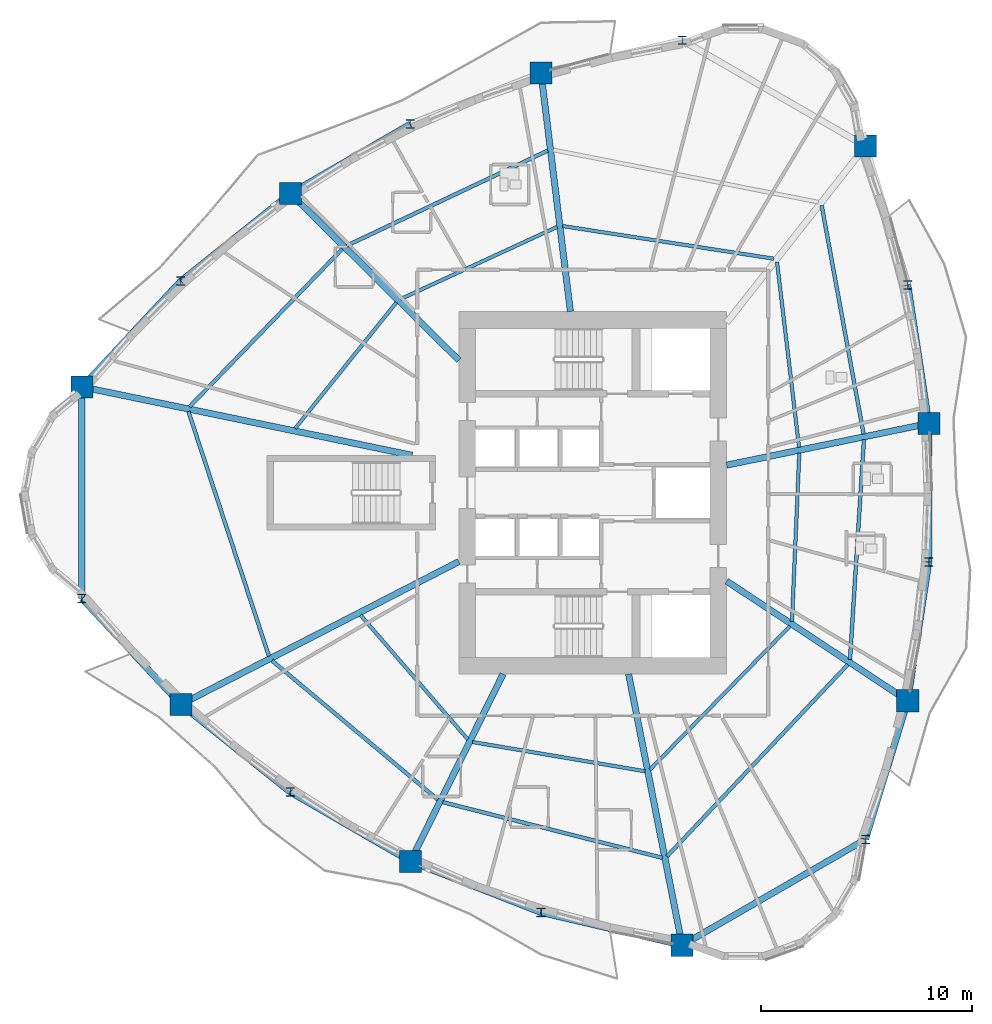
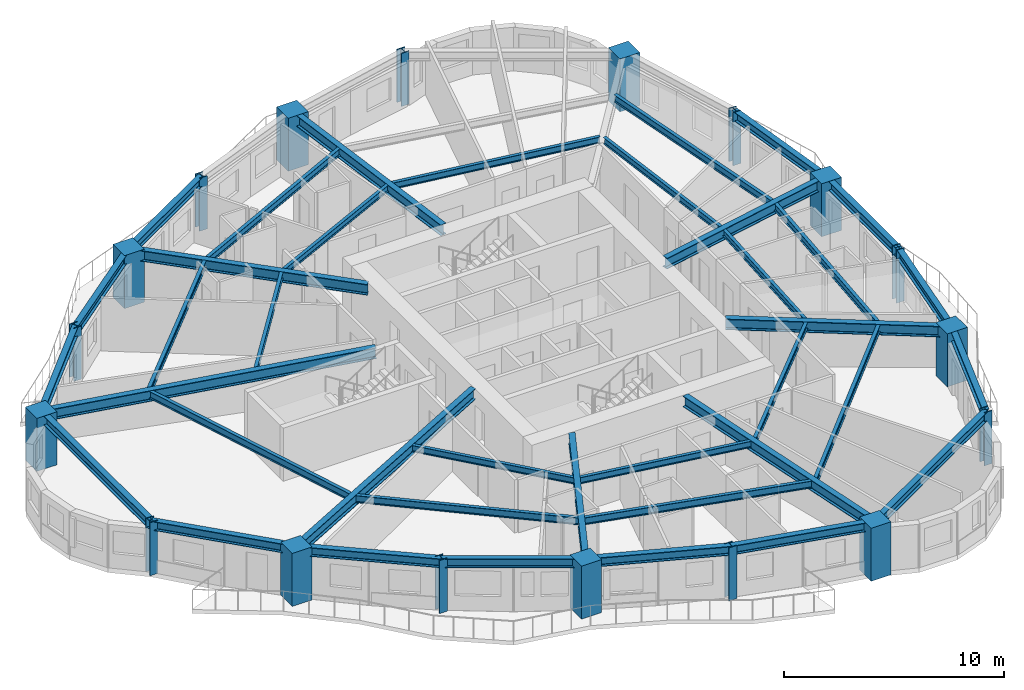
# One storey, part 1 of 13: 38 beams, 18 columns.
"""IFC4 building model written with IfcOpenShell, lengths in metres."""

from ifc_helpers import new_model, si_unit, direction, frame, origin, origin_2d, place, context, subcontext, project, spatial, rectangle, i_section, extrude, source, transform, mapped, material, material_profile, profile_set, type_object, element, save


model = new_model("IFC4")

# Units and contexts
model_context = context("Model", 3, precision=1e-05, world=origin(), true_north=direction((0.0, 1.0)))
body_context = subcontext(model_context, "Body", "Model", "MODEL_VIEW")
ifc_project = project(units=[si_unit("LENGTHUNIT", "METRE"), si_unit("AREAUNIT", "SQUARE_METRE"), si_unit("VOLUMEUNIT", "CUBIC_METRE"), si_unit("PLANEANGLEUNIT", "RADIAN"), si_unit("MASSUNIT", "GRAM", prefix="KILO")], contexts=[model_context])

# Site, building, storey
site_placement = place(None, origin())
site = spatial("IfcSite", under=ifc_project, at=site_placement, CompositionType="ELEMENT")
building_placement = place(site_placement, origin())
building = spatial("IfcBuilding", under=site, at=building_placement, Name="Qafzar Sky-Pleat Residences", CompositionType="ELEMENT")
storey_placement = place(building_placement, frame((0.0, 0.0, 52.60009765625)))
storey = spatial("IfcBuildingStorey", under=building, at=storey_placement, Name="L15", CompositionType="ELEMENT", Elevation=52.60009765625)

# Columns
ifc_material_1 = material(Name="Concrete C60/75", Category="concrete")
ifc_material_profile_1 = material_profile(ifc_material_1, rectangle(XDim=1.050048828125, YDim=1.050048828125, at=origin_2d()), Name="RC 1050x1050")
ifc_profile_set_1 = profile_set([ifc_material_profile_1], Name="Concrete C60/75")
column_type_1 = type_object("IfcColumnType", Name="COL-RC-1050", PredefinedType="COLUMN", material=ifc_profile_set_1)
shared_shape_1 = source(origin(), body_context, "Body", "SweptSolid", [
    extrude(rectangle(XDim=1.050048828125, YDim=1.050048828125, at=origin_2d()), origin(), (0.0, 0.0, 1.0), 2.93994140625),
])
for number, where, z_axis, x_axis, name in (
    (1, (6.1201171875, 31.02294921875, 0.0), (0.0, 0.0, 1.0), (1.0, 0.0, 0.0), "L15 Perimeter Mega Column 1"),
    (2, (10.814697265625, 15.95849609375, 0.0), (0.0, 0.0, 1.0), (1.0, 0.0, 0.0), "L15 Perimeter Mega Column 3"),
    (3, (21.702880859375, 8.518310546875, 0.0), (0.0, 0.0, 1.0), (1.0, 0.0, 0.0), "L15 Perimeter Mega Column 5"),
    (4, (34.590087890625, 4.539794921875, 0.0), (0.0, 0.0, 1.0), (1.0, 0.0, 0.0), "L15 Perimeter Mega Column 7"),
    (5, (45.288818359375, 16.1376953125, 0.0), (0.0, 0.0, 1.0), (1.0, 0.0, 0.0), "L15 Perimeter Mega Column 9"),
    (6, (46.2880859375, 29.287353515625, 0.0), (0.0, 0.0, 1.0), (1.0, 0.0, 0.0), "L15 Perimeter Mega Column 11"),
    (7, (43.2900390625, 42.437255859375, 0.0), (0.0, 0.0, 1.0), (1.0, 0.0, 0.0), "L15 Perimeter Mega Column 13"),
    (8, (27.896484375, 45.90380859375, 0.0), (0.0, 0.0, 1.0), (1.0, 0.0, 0.0), "L15 Perimeter Mega Column 15"),
    (9, (16.0087890625, 40.1943359375, 0.0), (0.0, 0.0, 1.0), (1.0, 0.0, 0.0), "L15 Perimeter Mega Column 17"),
):
    element("IfcColumn", number, at=place(storey_placement, frame(where, z_axis=z_axis, x_axis=x_axis)), inside=storey, type_object=column_type_1, Name=name, PredefinedType="COLUMN", context=body_context, shape_type="MappedRepresentation", body=[
        mapped(shared_shape_1, transform((0.0, 0.0, 0.0), x_axis=(1.0, 0.0, 0.0), y_axis=(0.0, 1.0, 0.0), z_axis=(0.0, 0.0, 1.0), scale=1.0)),
    ])
ifc_material_2 = material(Name="Steel S460", Category="steel")
ifc_material_profile_2 = material_profile(ifc_material_2, i_section(OverallWidth=0.408935546875, OverallDepth=0.425048828125, WebThickness=0.030029296875, FlangeThickness=0.048095703125, FilletRadius=0.014892578125, at=origin_2d()), Name="HD 400x421")
ifc_profile_set_2 = profile_set([ifc_material_profile_2], Name="Steel S460")
column_type_2 = type_object("IfcColumnType", Name="COL-STL-HD421", PredefinedType="PILASTER", material=ifc_profile_set_2)
shared_shape_2 = source(origin(), body_context, "Body", "SweptSolid", [
    extrude(i_section(OverallWidth=0.408935546875, OverallDepth=0.425048828125, WebThickness=0.030029296875, FlangeThickness=0.048095703125, FilletRadius=0.014892578125, at=origin_2d()), origin(), (0.0, 0.0, 1.0), 2.93994140625),
])
for number, where, z_axis, x_axis, name in (
    (10, (6.1201171875, 20.97705078125, 0.0), (0.0, 0.0, 1.0), (1.0, 0.0, 0.0), "L15 Perimeter Mega Column 2"),
    (11, (16.0087890625, 11.8056640625, 0.0), (0.0, 0.0, 1.0), (1.0, 0.0, 0.0), "L15 Perimeter Mega Column 4"),
    (12, (27.896484375, 6.09619140625, 0.0), (0.0, 0.0, 1.0), (1.0, 0.0, 0.0), "L15 Perimeter Mega Column 6"),
    (13, (43.2900390625, 9.562744140625, 0.0), (0.0, 0.0, 1.0), (1.0, 0.0, 0.0), "L15 Perimeter Mega Column 8"),
    (14, (46.2880859375, 22.712646484375, 0.0), (0.0, 0.0, 1.0), (1.0, 0.0, 0.0), "L15 Perimeter Mega Column 10"),
    (15, (45.288818359375, 35.8623046875, 0.0), (0.0, 0.0, 1.0), (1.0, 0.0, 0.0), "L15 Perimeter Mega Column 12"),
    (16, (34.590087890625, 47.460205078125, 0.0), (0.0, 0.0, 1.0), (1.0, 0.0, 0.0), "L15 Perimeter Mega Column 14"),
    (17, (21.702880859375, 43.481689453125, 0.0), (0.0, 0.0, 1.0), (1.0, 0.0, 0.0), "L15 Perimeter Mega Column 16"),
    (18, (10.814697265625, 36.04150390625, 0.0), (0.0, 0.0, 1.0), (1.0, 0.0, 0.0), "L15 Perimeter Mega Column 18"),
):
    element("IfcColumn", number, at=place(storey_placement, frame(where, z_axis=z_axis, x_axis=x_axis)), inside=storey, type_object=column_type_2, Name=name, PredefinedType="PILASTER", context=body_context, shape_type="MappedRepresentation", body=[
        mapped(shared_shape_2, transform((0.0, 0.0, 0.0), x_axis=(1.0, 0.0, 0.0), y_axis=(0.0, 1.0, 0.0), z_axis=(0.0, 0.0, 1.0), scale=1.0)),
    ])

# Beams
ifc_material_3 = material(Name="Steel S355", Category="steel")
ifc_material_profile_3 = material_profile(ifc_material_3, i_section(OverallWidth=0.300048828125, OverallDepth=0.5, WebThickness=0.014404296875, FlangeThickness=0.028076171875, FilletRadius=0.027099609375, at=origin_2d()), Name="HEB 500")
ifc_profile_set_3 = profile_set([ifc_material_profile_3], Name="Steel S355")
beam_type_1 = type_object("IfcBeamType", Name="BM-SPAN-HEB500", PredefinedType="SPANDREL", material=ifc_profile_set_3)
shared_shape_3 = source(origin(), body_context, "Body", "SweptSolid", [
    extrude(i_section(OverallWidth=0.300048828125, OverallDepth=0.5, WebThickness=0.014404296875, FlangeThickness=0.028076171875, FilletRadius=0.027099609375, at=origin_2d()), origin(), (0.0, 0.0, 1.0), 10.0458984375),
])
for number, where, z_axis, x_axis, name in (
    (19, (6.1201171875, 31.02294921875, 2.68798828125), (0.0, -1.0, 0.0), (1.0, 0.0, 0.0), "L15 Perimeter Spandrel Beam 1"),
    (20, (34.590087890625, 4.539794921875, 2.68798828125), (0.866024107753, 0.500002244785, 0.0), (-0.500002244785, 0.866024107753, 0.0), "L15 Perimeter Spandrel Beam 7"),
):
    element("IfcBeam", number, at=place(storey_placement, frame(where, z_axis=z_axis, x_axis=x_axis)), inside=storey, type_object=beam_type_1, Name=name, PredefinedType="SPANDREL", context=body_context, shape_type="MappedRepresentation", body=[
        mapped(shared_shape_3, transform((0.0, 0.0, 0.0), x_axis=(1.0, 0.0, 0.0), y_axis=(0.0, 1.0, 0.0), z_axis=(0.0, 0.0, 1.0), scale=1.0)),
    ])
shared_shape_4 = source(origin(), body_context, "Body", "SweptSolid", [
    extrude(i_section(OverallWidth=0.300048828125, OverallDepth=0.5, WebThickness=0.014404296875, FlangeThickness=0.028076171875, FilletRadius=0.027099609375, at=origin_2d()), origin(), (0.0, 0.0, 1.0), 6.8720703125),
])
for number, where, z_axis, x_axis, name in (
    (21, (6.1201171875, 20.97705078125, 2.68798828125), (0.683141849409, -0.73028570682, 0.0), (0.73028570682, 0.683141849409, 0.0), "L15 Perimeter Spandrel Beam 2"),
    (22, (27.896484375, 6.09619140625, 2.68798828125), (0.974016228914, -0.226478223705, 0.0), (0.226478223705, 0.974016228914, 0.0), "L15 Perimeter Spandrel Beam 6"),
    (23, (43.2900390625, 9.562744140625, 2.68798828125), (0.290856244324, 0.956766766322, 0.0), (-0.956766766322, 0.290856244324, 0.0), "L15 Perimeter Spandrel Beam 8"),
    (24, (10.814697265625, 36.04150390625, 2.68798828125), (-0.683141849409, -0.73028570682, 0.0), (0.73028570682, -0.683141849409, 0.0), "L15 Perimeter Spandrel Beam 18"),
):
    element("IfcBeam", number, at=place(storey_placement, frame(where, z_axis=z_axis, x_axis=x_axis)), inside=storey, type_object=beam_type_1, Name=name, PredefinedType="SPANDREL", context=body_context, shape_type="MappedRepresentation", body=[
        mapped(shared_shape_4, transform((0.0, 0.0, 0.0), x_axis=(1.0, 0.0, 0.0), y_axis=(0.0, 1.0, 0.0), z_axis=(0.0, 0.0, 1.0), scale=1.0)),
    ])
shared_shape_5 = source(origin(), body_context, "Body", "SweptSolid", [
    extrude(i_section(OverallWidth=0.300048828125, OverallDepth=0.5, WebThickness=0.014404296875, FlangeThickness=0.028076171875, FilletRadius=0.027099609375, at=origin_2d()), origin(), (0.0, 0.0, 1.0), 6.650146484375),
])
for number, where, z_axis, x_axis, name in (
    (25, (10.814697265625, 15.95849609375, 2.68798828125), (0.781047860297, -0.62447116821, 0.0), (0.62447116821, 0.781047860297, 0.0), "L15 Perimeter Spandrel Beam 3"),
    (26, (16.0087890625, 40.1943359375, 2.68798828125), (-0.781047860297, -0.62447116821, 0.0), (0.62447116821, -0.781047860297, 0.0), "L15 Perimeter Spandrel Beam 17"),
):
    element("IfcBeam", number, at=place(storey_placement, frame(where, z_axis=z_axis, x_axis=x_axis)), inside=storey, type_object=beam_type_1, Name=name, PredefinedType="SPANDREL", context=body_context, shape_type="MappedRepresentation", body=[
        mapped(shared_shape_5, transform((0.0, 0.0, 0.0), x_axis=(1.0, 0.0, 0.0), y_axis=(0.0, 1.0, 0.0), z_axis=(0.0, 0.0, 1.0), scale=1.0)),
    ])
shared_shape_6 = source(origin(), body_context, "Body", "SweptSolid", [
    extrude(i_section(OverallWidth=0.300048828125, OverallDepth=0.5, WebThickness=0.014404296875, FlangeThickness=0.028076171875, FilletRadius=0.027099609375, at=origin_2d()), origin(), (0.0, 0.0, 1.0), 6.574951171875),
])
for number, where, z_axis, x_axis, name in (
    (27, (16.0087890625, 11.8056640625, 2.68798828125), (0.866034091436, -0.499984952244, 0.0), (0.499984952244, 0.866034091436, 0.0), "L15 Perimeter Spandrel Beam 4"),
    (28, (21.702880859375, 43.481689453125, 2.68798828125), (-0.866034091436, -0.499984952244, 0.0), (0.499984952244, -0.866034091436, 0.0), "L15 Perimeter Spandrel Beam 16"),
):
    element("IfcBeam", number, at=place(storey_placement, frame(where, z_axis=z_axis, x_axis=x_axis)), inside=storey, type_object=beam_type_1, Name=name, PredefinedType="SPANDREL", context=body_context, shape_type="MappedRepresentation", body=[
        mapped(shared_shape_6, transform((0.0, 0.0, 0.0), x_axis=(1.0, 0.0, 0.0), y_axis=(0.0, 1.0, 0.0), z_axis=(0.0, 0.0, 1.0), scale=1.0)),
    ])
shared_shape_7 = source(origin(), body_context, "Body", "SweptSolid", [
    extrude(i_section(OverallWidth=0.300048828125, OverallDepth=0.5, WebThickness=0.014404296875, FlangeThickness=0.028076171875, FilletRadius=0.027099609375, at=origin_2d()), origin(), (0.0, 0.0, 1.0), 6.650390625),
])
for number, where, z_axis, x_axis, name in (
    (29, (21.702880859375, 8.518310546875, 2.68798828125), (0.931317505809, -0.364208324141, 0.0), (0.364208324141, 0.931317505809, 0.0), "L15 Perimeter Spandrel Beam 5"),
    (30, (45.288818359375, 16.1376953125, 2.68798828125), (0.150255576809, 0.988647187645, 0.0), (-0.988647187645, 0.150255576809, 0.0), "L15 Perimeter Spandrel Beam 9"),
    (31, (46.2880859375, 29.287353515625, 2.68798828125), (-0.150255576809, 0.988647187645, 0.0), (-0.988647187645, -0.150255576809, 0.0), "L15 Perimeter Spandrel Beam 11"),
):
    element("IfcBeam", number, at=place(storey_placement, frame(where, z_axis=z_axis, x_axis=x_axis)), inside=storey, type_object=beam_type_1, Name=name, PredefinedType="SPANDREL", context=body_context, shape_type="MappedRepresentation", body=[
        mapped(shared_shape_7, transform((0.0, 0.0, 0.0), x_axis=(1.0, 0.0, 0.0), y_axis=(0.0, 1.0, 0.0), z_axis=(0.0, 0.0, 1.0), scale=1.0)),
    ])
shared_shape_8 = source(origin(), body_context, "Body", "SweptSolid", [
    extrude(i_section(OverallWidth=0.300048828125, OverallDepth=0.5, WebThickness=0.014404296875, FlangeThickness=0.028076171875, FilletRadius=0.027099609375, at=origin_2d()), origin(), (0.0, 0.0, 1.0), 6.57470703125),
])
beam_1_placement = place(storey_placement, frame((46.2880859375, 22.712646484375, 2.68798828125), z_axis=(0.0, 1.0, 0.0), x_axis=(-1.0, 0.0, 0.0)))
element("IfcBeam", 32, at=beam_1_placement, inside=storey, type_object=beam_type_1, Name="L15 Perimeter Spandrel Beam 10", PredefinedType="SPANDREL", context=body_context, shape_type="MappedRepresentation", body=[
    mapped(shared_shape_8, transform((0.0, 0.0, 0.0), x_axis=(1.0, 0.0, 0.0), y_axis=(0.0, 1.0, 0.0), z_axis=(0.0, 0.0, 1.0), scale=1.0)),
])
ifc_material_profile_4 = material_profile(ifc_material_3, i_section(OverallWidth=0.300048828125, OverallDepth=0.60009765625, WebThickness=0.015380859375, FlangeThickness=0.030029296875, FilletRadius=0.027099609375, at=origin_2d()), Name="HEB 600")
ifc_profile_set_4 = profile_set([ifc_material_profile_4], Name="Steel S355")
beam_type_2 = type_object("IfcBeamType", Name="BM-GIRD-HEB600", PredefinedType="BEAM", material=ifc_profile_set_4)
shared_shape_9 = source(origin(), body_context, "Body", "SweptSolid", [
    extrude(i_section(OverallWidth=0.300048828125, OverallDepth=0.60009765625, WebThickness=0.015380859375, FlangeThickness=0.030029296875, FilletRadius=0.027099609375, at=origin_2d()), origin(), (0.0, 0.0, 1.0), 16.000732421875),
])
beam_2_placement = place(storey_placement, frame((6.1201171875, 31.02294921875, 2.637939453125), z_axis=(0.97917975369, -0.202995098375, 0.0), x_axis=(0.202995098375, 0.97917975369, 0.0)))
element("IfcBeam", 33, at=beam_2_placement, inside=storey, type_object=beam_type_2, Name="L15 Radial Floor Girder 1", PredefinedType="BEAM", context=body_context, shape_type="MappedRepresentation", body=[
    mapped(shared_shape_9, transform((0.0, 0.0, 0.0), x_axis=(1.0, 0.0, 0.0), y_axis=(0.0, 1.0, 0.0), z_axis=(0.0, 0.0, 1.0), scale=1.0)),
])
shared_shape_10 = source(origin(), body_context, "Body", "SweptSolid", [
    extrude(i_section(OverallWidth=0.300048828125, OverallDepth=0.60009765625, WebThickness=0.015380859375, FlangeThickness=0.030029296875, FilletRadius=0.027099609375, at=origin_2d()), origin(), (0.0, 0.0, 1.0), 14.8251953125),
])
beam_3_placement = place(storey_placement, frame((10.814697265625, 15.95849609375, 2.637939453125), z_axis=(0.889381743059, 0.457165303925, 0.0), x_axis=(-0.457165303925, 0.889381743059, 0.0)))
element("IfcBeam", 34, at=beam_3_placement, inside=storey, type_object=beam_type_2, Name="L15 Radial Floor Girder 3", PredefinedType="BEAM", context=body_context, shape_type="MappedRepresentation", body=[
    mapped(shared_shape_10, transform((0.0, 0.0, 0.0), x_axis=(1.0, 0.0, 0.0), y_axis=(0.0, 1.0, 0.0), z_axis=(0.0, 0.0, 1.0), scale=1.0)),
])
shared_shape_11 = source(origin(), body_context, "Body", "SweptSolid", [
    extrude(i_section(OverallWidth=0.300048828125, OverallDepth=0.60009765625, WebThickness=0.015380859375, FlangeThickness=0.030029296875, FilletRadius=0.027099609375, at=origin_2d()), origin(), (0.0, 0.0, 1.0), 9.90869140625),
])
beam_4_placement = place(storey_placement, frame((21.702880859375, 8.518310546875, 2.637939453125), z_axis=(0.443375685827, 0.896335875226, 0.0), x_axis=(-0.896335875226, 0.443375685827, 0.0)))
element("IfcBeam", 35, at=beam_4_placement, inside=storey, type_object=beam_type_2, Name="L15 Radial Floor Girder 5", PredefinedType="BEAM", context=body_context, shape_type="MappedRepresentation", body=[
    mapped(shared_shape_11, transform((0.0, 0.0, 0.0), x_axis=(1.0, 0.0, 0.0), y_axis=(0.0, 1.0, 0.0), z_axis=(0.0, 0.0, 1.0), scale=1.0)),
])
shared_shape_12 = source(origin(), body_context, "Body", "SweptSolid", [
    extrude(i_section(OverallWidth=0.300048828125, OverallDepth=0.60009765625, WebThickness=0.015380859375, FlangeThickness=0.030029296875, FilletRadius=0.027099609375, at=origin_2d()), origin(), (0.0, 0.0, 1.0), 13.108642578125),
])
beam_5_placement = place(storey_placement, frame((34.590087890625, 4.539794921875, 2.637939453125), z_axis=(-0.193823374402, 0.981036441492, 0.0), x_axis=(-0.981036441492, -0.193823374402, 0.0)))
element("IfcBeam", 36, at=beam_5_placement, inside=storey, type_object=beam_type_2, Name="L15 Radial Floor Girder 7", PredefinedType="BEAM", context=body_context, shape_type="MappedRepresentation", body=[
    mapped(shared_shape_12, transform((0.0, 0.0, 0.0), x_axis=(1.0, 0.0, 0.0), y_axis=(0.0, 1.0, 0.0), z_axis=(0.0, 0.0, 1.0), scale=1.0)),
])
shared_shape_13 = source(origin(), body_context, "Body", "SweptSolid", [
    extrude(i_section(OverallWidth=0.300048828125, OverallDepth=0.60009765625, WebThickness=0.015380859375, FlangeThickness=0.030029296875, FilletRadius=0.027099609375, at=origin_2d()), origin(), (0.0, 0.0, 1.0), 10.291748046875),
])
beam_6_placement = place(storey_placement, frame((45.288818359375, 16.1376953125, 2.637939453125), z_axis=(-0.834541783503, 0.550944653833, 0.0), x_axis=(-0.550944653833, -0.834541783503, 0.0)))
element("IfcBeam", 37, at=beam_6_placement, inside=storey, type_object=beam_type_2, Name="L15 Radial Floor Girder 9", PredefinedType="BEAM", context=body_context, shape_type="MappedRepresentation", body=[
    mapped(shared_shape_13, transform((0.0, 0.0, 0.0), x_axis=(1.0, 0.0, 0.0), y_axis=(0.0, 1.0, 0.0), z_axis=(0.0, 0.0, 1.0), scale=1.0)),
])
shared_shape_14 = source(origin(), body_context, "Body", "SweptSolid", [
    extrude(i_section(OverallWidth=0.300048828125, OverallDepth=0.60009765625, WebThickness=0.015380859375, FlangeThickness=0.030029296875, FilletRadius=0.027099609375, at=origin_2d()), origin(), (0.0, 0.0, 1.0), 9.7900390625),
])
beam_7_placement = place(storey_placement, frame((46.2880859375, 29.287353515625, 2.637939453125), z_axis=(-0.979386142627, -0.20199698916, 0.0), x_axis=(0.20199698916, -0.979386142627, 0.0)))
element("IfcBeam", 38, at=beam_7_placement, inside=storey, type_object=beam_type_2, Name="L15 Radial Floor Girder 11", PredefinedType="BEAM", context=body_context, shape_type="MappedRepresentation", body=[
    mapped(shared_shape_14, transform((0.0, 0.0, 0.0), x_axis=(1.0, 0.0, 0.0), y_axis=(0.0, 1.0, 0.0), z_axis=(0.0, 0.0, 1.0), scale=1.0)),
])
shared_shape_15 = source(origin(), body_context, "Body", "SweptSolid", [
    extrude(i_section(OverallWidth=0.300048828125, OverallDepth=0.60009765625, WebThickness=0.015380859375, FlangeThickness=0.030029296875, FilletRadius=0.027099609375, at=origin_2d()), origin(), (0.0, 0.0, 1.0), 11.38916015625),
])
beam_8_placement = place(storey_placement, frame((27.896484375, 45.90380859375, 2.637939453125), z_axis=(0.122335498992, -0.992488803809, 0.0), x_axis=(0.992488803809, 0.122335498992, 0.0)))
element("IfcBeam", 39, at=beam_8_placement, inside=storey, type_object=beam_type_2, Name="L15 Radial Floor Girder 15", PredefinedType="BEAM", context=body_context, shape_type="MappedRepresentation", body=[
    mapped(shared_shape_15, transform((0.0, 0.0, 0.0), x_axis=(1.0, 0.0, 0.0), y_axis=(0.0, 1.0, 0.0), z_axis=(0.0, 0.0, 1.0), scale=1.0)),
])
shared_shape_16 = source(origin(), body_context, "Body", "SweptSolid", [
    extrude(i_section(OverallWidth=0.300048828125, OverallDepth=0.60009765625, WebThickness=0.015380859375, FlangeThickness=0.030029296875, FilletRadius=0.027099609375, at=origin_2d()), origin(), (0.0, 0.0, 1.0), 11.24365234375),
])
beam_9_placement = place(storey_placement, frame((16.0087890625, 40.1943359375, 2.637939453125), z_axis=(0.710734480611, -0.703460374201, 0.0), x_axis=(0.703460374201, 0.710734480611, 0.0)))
element("IfcBeam", 40, at=beam_9_placement, inside=storey, type_object=beam_type_2, Name="L15 Radial Floor Girder 17", PredefinedType="BEAM", context=body_context, shape_type="MappedRepresentation", body=[
    mapped(shared_shape_16, transform((0.0, 0.0, 0.0), x_axis=(1.0, 0.0, 0.0), y_axis=(0.0, 1.0, 0.0), z_axis=(0.0, 0.0, 1.0), scale=1.0)),
])
ifc_material_profile_5 = material_profile(ifc_material_3, i_section(OverallWidth=0.179931640625, OverallDepth=0.39990234375, WebThickness=0.008544921875, FlangeThickness=0.013427734375, FilletRadius=0.02099609375, at=origin_2d()), Name="IPE 400")
ifc_profile_set_5 = profile_set([ifc_material_profile_5], Name="Steel S355")
beam_type_3 = type_object("IfcBeamType", Name="BM-JST-IPE400", PredefinedType="JOIST", material=ifc_profile_set_5)
shared_shape_17 = source(origin(), body_context, "Body", "SweptSolid", [
    extrude(i_section(OverallWidth=0.179931640625, OverallDepth=0.39990234375, WebThickness=0.008544921875, FlangeThickness=0.013427734375, FilletRadius=0.02099609375, at=origin_2d()), origin(), (0.0, 0.0, 1.0), 12.211181640625),
])
beam_10_placement = place(storey_placement, frame((11.17578125, 29.855224609375, 2.73779296875), z_axis=(0.312494579361, -0.94991954284, 0.0), x_axis=(0.94991954284, 0.312494579361, 0.0)))
element("IfcBeam", 41, at=beam_10_placement, inside=storey, type_object=beam_type_3, Name="L15 Outer Secondary Floor Joist 1", PredefinedType="JOIST", context=body_context, shape_type="MappedRepresentation", body=[
    mapped(shared_shape_17, transform((0.0, 0.0, 0.0), x_axis=(1.0, 0.0, 0.0), y_axis=(0.0, 1.0, 0.0), z_axis=(0.0, 0.0, 1.0), scale=1.0)),
])
shared_shape_18 = source(origin(), body_context, "Body", "SweptSolid", [
    extrude(i_section(OverallWidth=0.179931640625, OverallDepth=0.39990234375, WebThickness=0.008544921875, FlangeThickness=0.013427734375, FilletRadius=0.02099609375, at=origin_2d()), origin(), (0.0, 0.0, 1.0), 10.265380859375),
])
beam_11_placement = place(storey_placement, frame((15.137451171875, 18.040771484375, 2.73779296875), z_axis=(0.766450230396, -0.642303701006, 0.0), x_axis=(0.642303701006, 0.766450230396, 0.0)))
element("IfcBeam", 42, at=beam_11_placement, inside=storey, type_object=beam_type_3, Name="L15 Outer Secondary Floor Joist 2", PredefinedType="JOIST", context=body_context, shape_type="MappedRepresentation", body=[
    mapped(shared_shape_18, transform((0.0, 0.0, 0.0), x_axis=(1.0, 0.0, 0.0), y_axis=(0.0, 1.0, 0.0), z_axis=(0.0, 0.0, 1.0), scale=1.0)),
])
shared_shape_19 = source(origin(), body_context, "Body", "SweptSolid", [
    extrude(i_section(OverallWidth=0.179931640625, OverallDepth=0.39990234375, WebThickness=0.008544921875, FlangeThickness=0.013427734375, FilletRadius=0.02099609375, at=origin_2d()), origin(), (0.0, 0.0, 1.0), 10.73583984375),
])
beam_12_placement = place(storey_placement, frame((23.239501953125, 11.327392578125, 2.73779296875), z_axis=(0.969314247792, -0.245824915393, 0.0), x_axis=(0.245824915393, 0.969314247792, 0.0)))
element("IfcBeam", 43, at=beam_12_placement, inside=storey, type_object=beam_type_3, Name="L15 Outer Secondary Floor Joist 3", PredefinedType="JOIST", context=body_context, shape_type="MappedRepresentation", body=[
    mapped(shared_shape_19, transform((0.0, 0.0, 0.0), x_axis=(1.0, 0.0, 0.0), y_axis=(0.0, 1.0, 0.0), z_axis=(0.0, 0.0, 1.0), scale=1.0)),
])
shared_shape_20 = source(origin(), body_context, "Body", "SweptSolid", [
    extrude(i_section(OverallWidth=0.179931640625, OverallDepth=0.39990234375, WebThickness=0.008544921875, FlangeThickness=0.013427734375, FilletRadius=0.02099609375, at=origin_2d()), origin(), (0.0, 0.0, 1.0), 12.50634765625),
])
beam_13_placement = place(storey_placement, frame((33.869384765625, 8.75341796875, 2.73779296875), z_axis=(0.685920444829, 0.727676537594, 0.0), x_axis=(-0.727676537594, 0.685920444829, 0.0)))
element("IfcBeam", 44, at=beam_13_placement, inside=storey, type_object=beam_type_3, Name="L15 Outer Secondary Floor Joist 4", PredefinedType="JOIST", context=body_context, shape_type="MappedRepresentation", body=[
    mapped(shared_shape_20, transform((0.0, 0.0, 0.0), x_axis=(1.0, 0.0, 0.0), y_axis=(0.0, 1.0, 0.0), z_axis=(0.0, 0.0, 1.0), scale=1.0)),
])
shared_shape_21 = source(origin(), body_context, "Body", "SweptSolid", [
    extrude(i_section(OverallWidth=0.179931640625, OverallDepth=0.39990234375, WebThickness=0.008544921875, FlangeThickness=0.013427734375, FilletRadius=0.02099609375, at=origin_2d()), origin(), (0.0, 0.0, 1.0), 10.453857421875),
])
beam_14_placement = place(storey_placement, frame((42.548828125, 18.0869140625, 2.73779296875), z_axis=(0.063382933726, 0.997989280359, 0.0), x_axis=(-0.997989280359, 0.063382933726, 0.0)))
element("IfcBeam", 45, at=beam_14_placement, inside=storey, type_object=beam_type_3, Name="L15 Outer Secondary Floor Joist 5", PredefinedType="JOIST", context=body_context, shape_type="MappedRepresentation", body=[
    mapped(shared_shape_21, transform((0.0, 0.0, 0.0), x_axis=(1.0, 0.0, 0.0), y_axis=(0.0, 1.0, 0.0), z_axis=(0.0, 0.0, 1.0), scale=1.0)),
])
shared_shape_22 = source(origin(), body_context, "Body", "SweptSolid", [
    extrude(i_section(OverallWidth=0.179931640625, OverallDepth=0.39990234375, WebThickness=0.008544921875, FlangeThickness=0.013427734375, FilletRadius=0.02099609375, at=origin_2d()), origin(), (0.0, 0.0, 1.0), 11.01953125),
])
beam_15_placement = place(storey_placement, frame((43.195556640625, 28.787353515625, 2.73779296875), z_axis=(-0.180587223378, 0.983558973703, 0.0), x_axis=(-0.983558973703, -0.180587223378, 0.0)))
element("IfcBeam", 46, at=beam_15_placement, inside=storey, type_object=beam_type_3, Name="L15 Outer Secondary Floor Joist 6", PredefinedType="JOIST", context=body_context, shape_type="MappedRepresentation", body=[
    mapped(shared_shape_22, transform((0.0, 0.0, 0.0), x_axis=(1.0, 0.0, 0.0), y_axis=(0.0, 1.0, 0.0), z_axis=(0.0, 0.0, 1.0), scale=1.0)),
])
shared_shape_23 = source(origin(), body_context, "Body", "SweptSolid", [
    extrude(i_section(OverallWidth=0.179931640625, OverallDepth=0.39990234375, WebThickness=0.008544921875, FlangeThickness=0.013427734375, FilletRadius=0.02099609375, at=origin_2d()), origin(), (0.0, 0.0, 1.0), 10.544677734375),
])
beam_16_placement = place(storey_placement, frame((28.220458984375, 42.228759765625, 2.73779296875), z_axis=(-0.9040153296, -0.427500039589, 0.0), x_axis=(0.427500039589, -0.9040153296, 0.0)))
element("IfcBeam", 47, at=beam_16_placement, inside=storey, type_object=beam_type_3, Name="L15 Outer Secondary Floor Joist 8", PredefinedType="JOIST", context=body_context, shape_type="MappedRepresentation", body=[
    mapped(shared_shape_23, transform((0.0, 0.0, 0.0), x_axis=(1.0, 0.0, 0.0), y_axis=(0.0, 1.0, 0.0), z_axis=(0.0, 0.0, 1.0), scale=1.0)),
])
shared_shape_24 = source(origin(), body_context, "Body", "SweptSolid", [
    extrude(i_section(OverallWidth=0.179931640625, OverallDepth=0.39990234375, WebThickness=0.008544921875, FlangeThickness=0.013427734375, FilletRadius=0.02099609375, at=origin_2d()), origin(), (0.0, 0.0, 1.0), 10.41748046875),
])
beam_17_placement = place(storey_placement, frame((18.47216796875, 37.56640625, 2.73779296875), z_axis=(-0.695434700563, -0.718589296645, 0.0), x_axis=(0.718589296645, -0.695434700563, 0.0)))
element("IfcBeam", 48, at=beam_17_placement, inside=storey, type_object=beam_type_3, Name="L15 Outer Secondary Floor Joist 9", PredefinedType="JOIST", context=body_context, shape_type="MappedRepresentation", body=[
    mapped(shared_shape_24, transform((0.0, 0.0, 0.0), x_axis=(1.0, 0.0, 0.0), y_axis=(0.0, 1.0, 0.0), z_axis=(0.0, 0.0, 1.0), scale=1.0)),
])
ifc_material_profile_6 = material_profile(ifc_material_3, i_section(OverallWidth=0.169921875, OverallDepth=0.360107421875, WebThickness=0.008056640625, FlangeThickness=0.0126953125, FilletRadius=0.01806640625, at=origin_2d()), Name="IPE 360")
ifc_profile_set_6 = profile_set([ifc_material_profile_6], Name="Steel S355")
beam_type_4 = type_object("IfcBeamType", Name="BM-JST-IPE360", PredefinedType="JOIST", material=ifc_profile_set_6)
shared_shape_25 = source(origin(), body_context, "Body", "SweptSolid", [
    extrude(i_section(OverallWidth=0.169921875, OverallDepth=0.360107421875, WebThickness=0.008056640625, FlangeThickness=0.0126953125, FilletRadius=0.01806640625, at=origin_2d()), origin(), (0.0, 0.0, 1.0), 7.78076171875),
])
beam_18_placement = place(storey_placement, frame((19.341552734375, 20.194091796875, 2.7578125), z_axis=(0.653503041025, -0.756923890078, 0.0), x_axis=(0.756923890078, 0.653503041025, 0.0)))
element("IfcBeam", 49, at=beam_18_placement, inside=storey, type_object=beam_type_4, Name="L15 Inner Secondary Floor Joist 2", PredefinedType="JOIST", context=body_context, shape_type="MappedRepresentation", body=[
    mapped(shared_shape_25, transform((0.0, 0.0, 0.0), x_axis=(1.0, 0.0, 0.0), y_axis=(0.0, 1.0, 0.0), z_axis=(0.0, 0.0, 1.0), scale=1.0)),
])
shared_shape_26 = source(origin(), body_context, "Body", "SweptSolid", [
    extrude(i_section(OverallWidth=0.169921875, OverallDepth=0.360107421875, WebThickness=0.008056640625, FlangeThickness=0.0126953125, FilletRadius=0.01806640625, at=origin_2d()), origin(), (0.0, 0.0, 1.0), 8.2998046875),
])
beam_19_placement = place(storey_placement, frame((24.647705078125, 14.179931640625, 2.7578125), z_axis=(0.985938639777, -0.167107745467, 0.0), x_axis=(0.167107745467, 0.985938639777, 0.0)))
element("IfcBeam", 50, at=beam_19_placement, inside=storey, type_object=beam_type_4, Name="L15 Inner Secondary Floor Joist 3", PredefinedType="JOIST", context=body_context, shape_type="MappedRepresentation", body=[
    mapped(shared_shape_26, transform((0.0, 0.0, 0.0), x_axis=(1.0, 0.0, 0.0), y_axis=(0.0, 1.0, 0.0), z_axis=(0.0, 0.0, 1.0), scale=1.0)),
])
shared_shape_27 = source(origin(), body_context, "Body", "SweptSolid", [
    extrude(i_section(OverallWidth=0.169921875, OverallDepth=0.360107421875, WebThickness=0.008056640625, FlangeThickness=0.0126953125, FilletRadius=0.01806640625, at=origin_2d()), origin(), (0.0, 0.0, 1.0), 9.506103515625),
])
beam_20_placement = place(storey_placement, frame((33.05810546875, 12.866943359375, 2.7578125), z_axis=(0.698463766196, 0.715645420101, 0.0), x_axis=(-0.715645420101, 0.698463766196, 0.0)))
element("IfcBeam", 51, at=beam_20_placement, inside=storey, type_object=beam_type_4, Name="L15 Inner Secondary Floor Joist 4", PredefinedType="JOIST", context=body_context, shape_type="MappedRepresentation", body=[
    mapped(shared_shape_27, transform((0.0, 0.0, 0.0), x_axis=(1.0, 0.0, 0.0), y_axis=(0.0, 1.0, 0.0), z_axis=(0.0, 0.0, 1.0), scale=1.0)),
])
shared_shape_28 = source(origin(), body_context, "Body", "SweptSolid", [
    extrude(i_section(OverallWidth=0.169921875, OverallDepth=0.360107421875, WebThickness=0.008056640625, FlangeThickness=0.0126953125, FilletRadius=0.01806640625, at=origin_2d()), origin(), (0.0, 0.0, 1.0), 7.992919921875),
])
beam_21_placement = place(storey_placement, frame((39.7978515625, 19.901611328125, 2.7578125), z_axis=(0.043526033927, 0.999052293111, 0.0), x_axis=(-0.999052293111, 0.043526033927, 0.0)))
element("IfcBeam", 52, at=beam_21_placement, inside=storey, type_object=beam_type_4, Name="L15 Inner Secondary Floor Joist 5", PredefinedType="JOIST", context=body_context, shape_type="MappedRepresentation", body=[
    mapped(shared_shape_28, transform((0.0, 0.0, 0.0), x_axis=(1.0, 0.0, 0.0), y_axis=(0.0, 1.0, 0.0), z_axis=(0.0, 0.0, 1.0), scale=1.0)),
])
shared_shape_29 = source(origin(), body_context, "Body", "SweptSolid", [
    extrude(i_section(OverallWidth=0.169921875, OverallDepth=0.360107421875, WebThickness=0.008056640625, FlangeThickness=0.0126953125, FilletRadius=0.01806640625, at=origin_2d()), origin(), (0.0, 0.0, 1.0), 8.852294921875),
])
beam_22_placement = place(storey_placement, frame((40.1357421875, 28.15576171875, 2.7578125), z_axis=(-0.118316486076, 0.992975935823, 0.0), x_axis=(-0.992975935823, -0.118316486076, 0.0)))
element("IfcBeam", 53, at=beam_22_placement, inside=storey, type_object=beam_type_4, Name="L15 Inner Secondary Floor Joist 6", PredefinedType="JOIST", context=body_context, shape_type="MappedRepresentation", body=[
    mapped(shared_shape_29, transform((0.0, 0.0, 0.0), x_axis=(1.0, 0.0, 0.0), y_axis=(0.0, 1.0, 0.0), z_axis=(0.0, 0.0, 1.0), scale=1.0)),
])
shared_shape_30 = source(origin(), body_context, "Body", "SweptSolid", [
    extrude(i_section(OverallWidth=0.169921875, OverallDepth=0.360107421875, WebThickness=0.008056640625, FlangeThickness=0.0126953125, FilletRadius=0.01806640625, at=origin_2d()), origin(), (0.0, 0.0, 1.0), 10.13623046875),
])
beam_23_placement = place(storey_placement, frame((38.93896484375, 37.100341796875, 2.7578125), z_axis=(-0.988264529039, 0.152752154302, 0.0), x_axis=(-0.152752154302, -0.988264529039, 0.0)))
element("IfcBeam", 54, at=beam_23_placement, inside=storey, type_object=beam_type_4, Name="L15 Inner Secondary Floor Joist 7", PredefinedType="JOIST", context=body_context, shape_type="MappedRepresentation", body=[
    mapped(shared_shape_30, transform((0.0, 0.0, 0.0), x_axis=(1.0, 0.0, 0.0), y_axis=(0.0, 1.0, 0.0), z_axis=(0.0, 0.0, 1.0), scale=1.0)),
])
shared_shape_31 = source(origin(), body_context, "Body", "SweptSolid", [
    extrude(i_section(OverallWidth=0.169921875, OverallDepth=0.360107421875, WebThickness=0.008056640625, FlangeThickness=0.0126953125, FilletRadius=0.01806640625, at=origin_2d()), origin(), (0.0, 0.0, 1.0), 8.171875),
])
beam_24_placement = place(storey_placement, frame((28.665771484375, 38.61279296875, 2.7578125), z_axis=(-0.907994358233, -0.41898239273, 0.0), x_axis=(0.41898239273, -0.907994358233, 0.0)))
element("IfcBeam", 55, at=beam_24_placement, inside=storey, type_object=beam_type_4, Name="L15 Inner Secondary Floor Joist 8", PredefinedType="JOIST", context=body_context, shape_type="MappedRepresentation", body=[
    mapped(shared_shape_31, transform((0.0, 0.0, 0.0), x_axis=(1.0, 0.0, 0.0), y_axis=(0.0, 1.0, 0.0), z_axis=(0.0, 0.0, 1.0), scale=1.0)),
])
shared_shape_32 = source(origin(), body_context, "Body", "SweptSolid", [
    extrude(i_section(OverallWidth=0.169921875, OverallDepth=0.360107421875, WebThickness=0.008056640625, FlangeThickness=0.0126953125, FilletRadius=0.01806640625, at=origin_2d()), origin(), (0.0, 0.0, 1.0), 7.670654296875),
])
beam_25_placement = place(storey_placement, frame((21.03857421875, 35.027099609375, 2.7578125), z_axis=(-0.626633862879, -0.77931380194, 0.0), x_axis=(0.77931380194, -0.626633862879, 0.0)))
element("IfcBeam", 56, at=beam_25_placement, inside=storey, type_object=beam_type_4, Name="L15 Inner Secondary Floor Joist 9", PredefinedType="JOIST", context=body_context, shape_type="MappedRepresentation", body=[
    mapped(shared_shape_32, transform((0.0, 0.0, 0.0), x_axis=(1.0, 0.0, 0.0), y_axis=(0.0, 1.0, 0.0), z_axis=(0.0, 0.0, 1.0), scale=1.0)),
])

save(model, "model.ifc")
